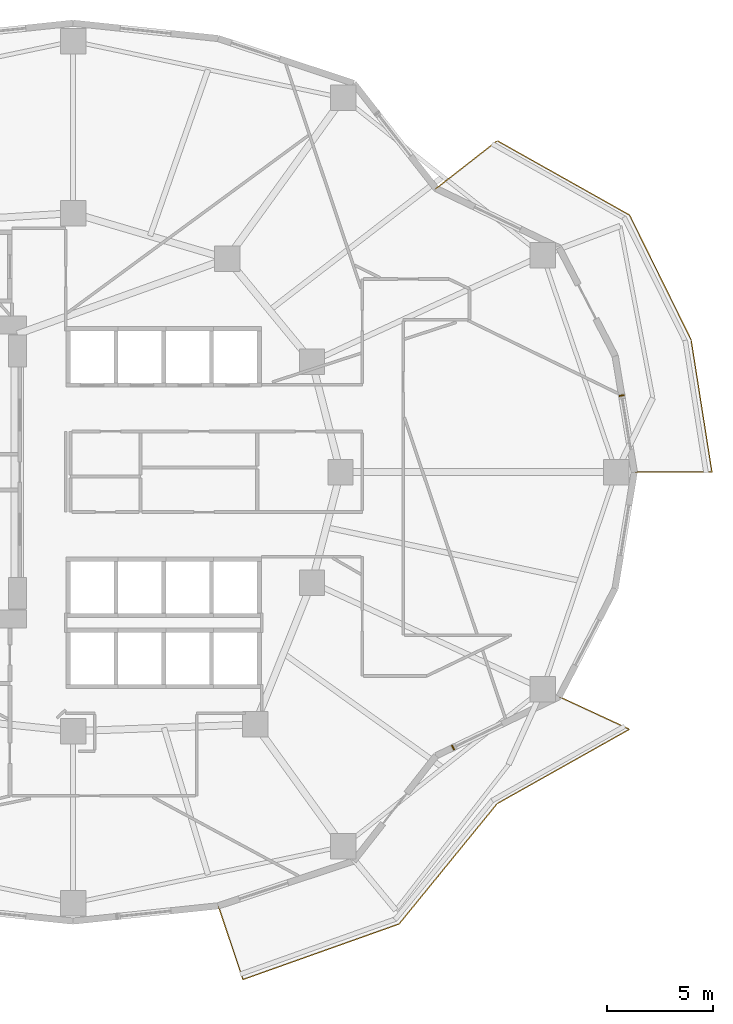
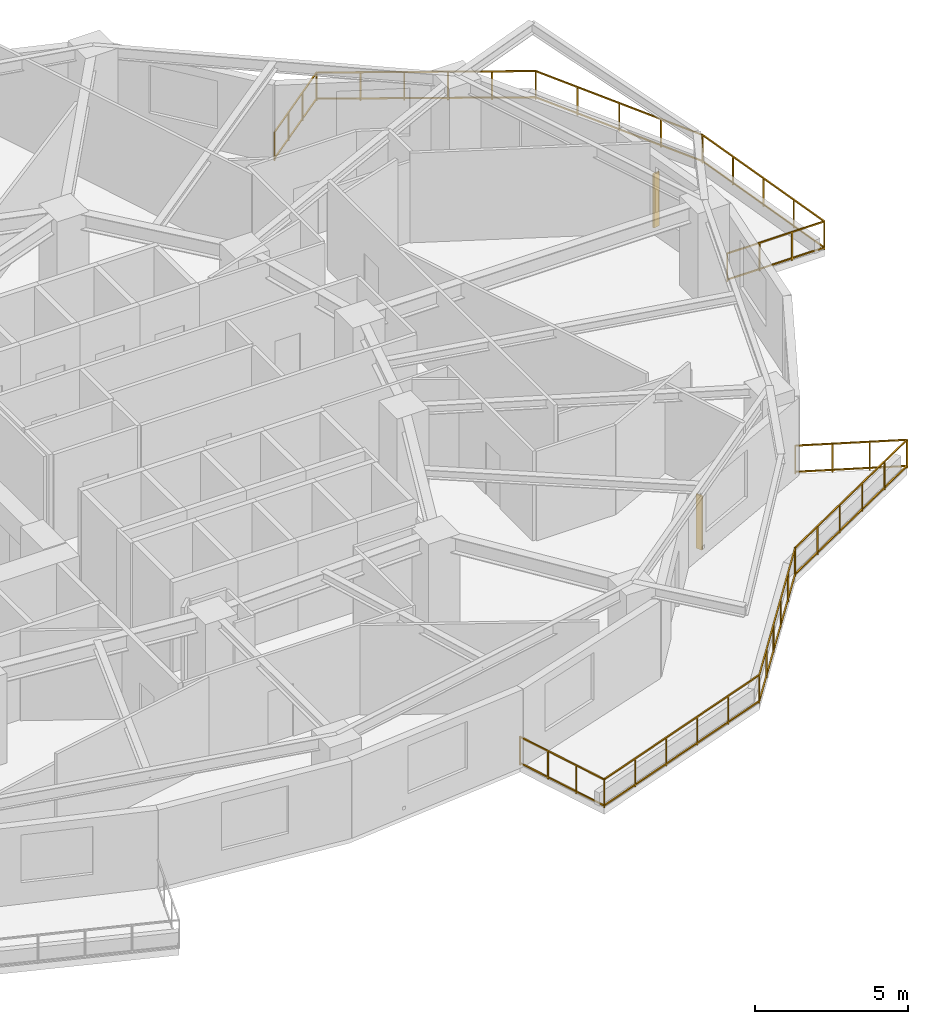
# One storey, part 10 of 11: 2 railings, 2 shading devices.
"""IFC4 building model written with IfcOpenShell, lengths in metres."""

from ifc_helpers import new_model, si_unit, direction, frame, origin, origin_2d, place, context, subcontext, project, spatial, rectangle, extrude, material, type_object, element, save


model = new_model("IFC4")

# Units and contexts
model_context = context("Model", 3, precision=1e-05, world=origin(), true_north=direction((0.0, 1.0)))
body_context = subcontext(model_context, "Body", "Model", "MODEL_VIEW")
ifc_project = project(units=[si_unit("LENGTHUNIT", "METRE"), si_unit("AREAUNIT", "SQUARE_METRE"), si_unit("VOLUMEUNIT", "CUBIC_METRE"), si_unit("PLANEANGLEUNIT", "RADIAN"), si_unit("MASSUNIT", "GRAM", prefix="KILO")], contexts=[model_context])

# Site, building, storey
site_placement = place(None, origin())
site = spatial("IfcSite", under=ifc_project, at=site_placement, CompositionType="ELEMENT")
building_placement = place(site_placement, origin())
building = spatial("IfcBuilding", under=site, at=building_placement, Name="Kolvaren Gate Tower and Convention Centre", CompositionType="ELEMENT")
storey_placement = place(building_placement, frame((0.0, 0.0, 88.10009765625)))
storey = spatial("IfcBuildingStorey", under=building, at=storey_placement, Name="L21", CompositionType="ELEMENT", Elevation=88.10009765625)

# Railings
ifc_material_1 = material(Name="Brushed Stainless Steel Grade 316L", Category="steel")
railing_type = type_object("IfcRailingType", Name="ARCH-RL-GUARD-1150", PredefinedType="GUARDRAIL", material=ifc_material_1)
railing_1_placement = place(storey_placement, frame((56.5625, 27.0, 0.0)))
element("IfcRailing", 1, at=railing_1_placement, inside=storey, type_object=railing_type, Name="Tower L21 Terrace Perimeter Guardrail GR-1", PredefinedType="GUARDRAIL", context=body_context, shape_type="SweptSolid", body=[
    extrude(rectangle(XDim=0.048095703125, YDim=0.048095703125, at=origin_2d()), frame((0.028076171875, 0.0, 1.1259765625), z_axis=(1.0, 0.0, 0.0), x_axis=(0.0, 1.0, 0.0)), (0.0, 0.0, 1.0), 3.603759765625),
    extrude(rectangle(XDim=0.048095703125, YDim=0.048095703125, at=origin_2d()), frame((0.028076171875, 0.0, 0.083984375), z_axis=(1.0, 0.0, 0.0), x_axis=(0.0, 1.0, 0.0)), (0.0, 0.0, 1.0), 3.603759765625),
    extrude(rectangle(XDim=0.048095703125, YDim=0.048095703125, at=origin_2d()), frame((3.655517578125, 0.027587890625, 1.1259765625), z_axis=(-0.155418843943, 0.98784866399, 0.0), x_axis=(-0.98784866399, -0.155418843943, 0.0)), (0.0, 0.0, 1.0), 6.261962890625),
    extrude(rectangle(XDim=0.048095703125, YDim=0.048095703125, at=origin_2d()), frame((3.655517578125, 0.027587890625, 0.083984375), z_axis=(-0.155418843943, 0.98784866399, 0.0), x_axis=(-0.98784866399, -0.155418843943, 0.0)), (0.0, 0.0, 1.0), 6.261962890625),
    extrude(rectangle(XDim=0.048095703125, YDim=0.048095703125, at=origin_2d()), frame((2.66552734375, 6.266357421875, 1.1259765625), z_axis=(-0.442686636348, 0.89667638644, 0.0), x_axis=(-0.89667638644, -0.442686636348, 0.0)), (0.0, 0.0, 1.0), 6.488525390625),
    extrude(rectangle(XDim=0.048095703125, YDim=0.048095703125, at=origin_2d()), frame((2.66552734375, 6.266357421875, 0.083984375), z_axis=(-0.442686636348, 0.89667638644, 0.0), x_axis=(-0.89667638644, -0.442686636348, 0.0)), (0.0, 0.0, 1.0), 6.488525390625),
    extrude(rectangle(XDim=0.048095703125, YDim=0.048095703125, at=origin_2d()), frame((-0.24365234375, 12.123291015625, 1.1259765625), z_axis=(-0.871783301661, 0.489891697159, 0.0), x_axis=(-0.489891697159, -0.871783301661, 0.0)), (0.0, 0.0, 1.0), 7.096435546875),
    extrude(rectangle(XDim=0.048095703125, YDim=0.048095703125, at=origin_2d()), frame((-0.24365234375, 12.123291015625, 0.083984375), z_axis=(-0.871783301661, 0.489891697159, 0.0), x_axis=(-0.489891697159, -0.871783301661, 0.0)), (0.0, 0.0, 1.0), 7.096435546875),
    extrude(rectangle(XDim=0.048095703125, YDim=0.048095703125, at=origin_2d()), frame((-6.476806640625, 15.59619140625, 1.1259765625), z_axis=(-0.787988976981, -0.61568934712, 0.0), x_axis=(0.61568934712, -0.787988976981, 0.0)), (0.0, 0.0, 1.0), 3.60400390625),
    extrude(rectangle(XDim=0.048095703125, YDim=0.048095703125, at=origin_2d()), frame((-6.476806640625, 15.59619140625, 0.083984375), z_axis=(-0.787988976981, -0.61568934712, 0.0), x_axis=(0.61568934712, -0.787988976981, 0.0)), (0.0, 0.0, 1.0), 3.60400390625),
    extrude(rectangle(XDim=0.0419921875, YDim=0.0419921875, at=origin_2d()), origin(), (0.0, 0.0, 1.0), 1.14990234375),
    extrude(rectangle(XDim=0.0419921875, YDim=0.0419921875, at=origin_2d()), frame((3.659912109375, 0.0, 0.0)), (0.0, 0.0, 1.0), 1.14990234375),
    extrude(rectangle(XDim=0.0419921875, YDim=0.0419921875, at=origin_2d()), frame((1.219970703125, 0.0, 0.0)), (0.0, 0.0, 1.0), 1.099853515625),
    extrude(rectangle(XDim=0.0419921875, YDim=0.0419921875, at=origin_2d()), frame((2.43994140625, 0.0, 0.0)), (0.0, 0.0, 1.0), 1.099853515625),
    extrude(rectangle(XDim=0.0419921875, YDim=0.0419921875, at=origin_2d()), frame((2.677978515625, 6.2412109375, 0.0)), (0.0, 0.0, 1.0), 1.14990234375),
    extrude(rectangle(XDim=0.0419921875, YDim=0.0419921875, at=origin_2d()), frame((3.41455078125, 1.560302734375, 0.0)), (0.0, 0.0, 1.0), 1.099853515625),
    extrude(rectangle(XDim=0.0419921875, YDim=0.0419921875, at=origin_2d()), frame((3.1689453125, 3.12060546875, 0.0)), (0.0, 0.0, 1.0), 1.099853515625),
    extrude(rectangle(XDim=0.0419921875, YDim=0.0419921875, at=origin_2d()), frame((2.92333984375, 4.680908203125, 0.0)), (0.0, 0.0, 1.0), 1.099853515625),
    extrude(rectangle(XDim=0.0419921875, YDim=0.0419921875, at=origin_2d()), frame((-0.21923828125, 12.109619140625, 0.0)), (0.0, 0.0, 1.0), 1.14990234375),
    extrude(rectangle(XDim=0.0419921875, YDim=0.0419921875, at=origin_2d()), frame((1.95361328125, 7.708251953125, 0.0)), (0.0, 0.0, 1.0), 1.099853515625),
    extrude(rectangle(XDim=0.0419921875, YDim=0.0419921875, at=origin_2d()), frame((1.2294921875, 9.17529296875, 0.0)), (0.0, 0.0, 1.0), 1.099853515625),
    extrude(rectangle(XDim=0.0419921875, YDim=0.0419921875, at=origin_2d()), frame((0.505126953125, 10.642578125, 0.0)), (0.0, 0.0, 1.0), 1.099853515625),
    extrude(rectangle(XDim=0.0419921875, YDim=0.0419921875, at=origin_2d()), frame((-6.45458984375, 15.613525390625, 0.0)), (0.0, 0.0, 1.0), 1.14990234375),
    extrude(rectangle(XDim=0.0419921875, YDim=0.0419921875, at=origin_2d()), frame((-1.46630859375, 12.810302734375, 0.0)), (0.0, 0.0, 1.0), 1.099853515625),
    extrude(rectangle(XDim=0.0419921875, YDim=0.0419921875, at=origin_2d()), frame((-2.71337890625, 13.51123046875, 0.0)), (0.0, 0.0, 1.0), 1.099853515625),
    extrude(rectangle(XDim=0.0419921875, YDim=0.0419921875, at=origin_2d()), frame((-3.96044921875, 14.2119140625, 0.0)), (0.0, 0.0, 1.0), 1.099853515625),
    extrude(rectangle(XDim=0.0419921875, YDim=0.0419921875, at=origin_2d()), frame((-5.20751953125, 14.912841796875, 0.0)), (0.0, 0.0, 1.0), 1.099853515625),
    extrude(rectangle(XDim=0.0419921875, YDim=0.0419921875, at=origin_2d()), frame((-9.338623046875, 13.360107421875, 0.0)), (0.0, 0.0, 1.0), 1.14990234375),
    extrude(rectangle(XDim=0.0419921875, YDim=0.0419921875, at=origin_2d()), frame((-7.416015625, 14.8623046875, 0.0)), (0.0, 0.0, 1.0), 1.099853515625),
    extrude(rectangle(XDim=0.0419921875, YDim=0.0419921875, at=origin_2d()), frame((-8.377197265625, 14.111328125, 0.0)), (0.0, 0.0, 1.0), 1.099853515625),
])
railing_2_placement = place(storey_placement, frame((36.967529296875, 6.57080078125, 0.0)))
element("IfcRailing", 2, at=railing_2_placement, inside=storey, type_object=railing_type, Name="Tower L21 Terrace Perimeter Guardrail GR-4", PredefinedType="GUARDRAIL", context=body_context, shape_type="SweptSolid", body=[
    extrude(rectangle(XDim=0.048095703125, YDim=0.048095703125, at=origin_2d()), frame((0.0087890625, -0.026611328125, 1.1259765625), z_axis=(0.317568160167, -0.94823544737, 0.0), x_axis=(0.94823544737, 0.317568160167, 0.0)), (0.0, 0.0, 1.0), 3.60400390625),
    extrude(rectangle(XDim=0.048095703125, YDim=0.048095703125, at=origin_2d()), frame((0.0087890625, -0.026611328125, 0.083984375), z_axis=(0.317568160167, -0.94823544737, 0.0), x_axis=(0.94823544737, 0.317568160167, 0.0)), (0.0, 0.0, 1.0), 3.60400390625),
    extrude(rectangle(XDim=0.048095703125, YDim=0.048095703125, at=origin_2d()), frame((1.188720703125, -3.46142578125, 1.1259765625), z_axis=(0.942200211781, 0.335050385643, 0.0), x_axis=(-0.335050385643, 0.942200211781, 0.0)), (0.0, 0.0, 1.0), 7.7509765625),
    extrude(rectangle(XDim=0.048095703125, YDim=0.048095703125, at=origin_2d()), frame((1.188720703125, -3.46142578125, 0.083984375), z_axis=(0.942200211781, 0.335050385643, 0.0), x_axis=(-0.335050385643, 0.942200211781, 0.0)), (0.0, 0.0, 1.0), 7.7509765625),
    extrude(rectangle(XDim=0.048095703125, YDim=0.048095703125, at=origin_2d()), frame((8.535888671875, -0.833251953125, 1.1259765625), z_axis=(0.631819273026, 0.775115737315, 0.0), x_axis=(-0.775115737315, 0.631819273026, 0.0)), (0.0, 0.0, 1.0), 7.259765625),
    extrude(rectangle(XDim=0.048095703125, YDim=0.048095703125, at=origin_2d()), frame((8.535888671875, -0.833251953125, 0.083984375), z_axis=(0.631819273026, 0.775115737315, 0.0), x_axis=(-0.775115737315, 0.631819273026, 0.0)), (0.0, 0.0, 1.0), 7.259765625),
    extrude(rectangle(XDim=0.048095703125, YDim=0.048095703125, at=origin_2d()), frame((13.164794921875, 4.829345703125, 1.1259765625), z_axis=(0.871783301661, 0.489891697159, 0.0), x_axis=(-0.489891697159, 0.871783301661, 0.0)), (0.0, 0.0, 1.0), 7.096435546875),
    extrude(rectangle(XDim=0.048095703125, YDim=0.048095703125, at=origin_2d()), frame((13.164794921875, 4.829345703125, 0.083984375), z_axis=(0.871783301661, 0.489891697159, 0.0), x_axis=(-0.489891697159, 0.871783301661, 0.0)), (0.0, 0.0, 1.0), 7.096435546875),
    extrude(rectangle(XDim=0.048095703125, YDim=0.048095703125, at=origin_2d()), frame((19.350341796875, 8.331298828125, 1.1259765625), z_axis=(-0.907846116663, 0.419303503993, 0.0), x_axis=(-0.419303503993, -0.907846116663, 0.0)), (0.0, 0.0, 1.0), 3.60400390625),
    extrude(rectangle(XDim=0.048095703125, YDim=0.048095703125, at=origin_2d()), frame((19.350341796875, 8.331298828125, 0.083984375), z_axis=(-0.907846116663, 0.419303503993, 0.0), x_axis=(-0.419303503993, -0.907846116663, 0.0)), (0.0, 0.0, 1.0), 3.60400390625),
    extrude(rectangle(XDim=0.0419921875, YDim=0.0419921875, at=origin_2d()), origin(), (0.0, 0.0, 1.0), 1.14990234375),
    extrude(rectangle(XDim=0.0419921875, YDim=0.0419921875, at=origin_2d()), frame((1.162353515625, -3.470703125, 0.0)), (0.0, 0.0, 1.0), 1.14990234375),
    extrude(rectangle(XDim=0.0419921875, YDim=0.0419921875, at=origin_2d()), frame((0.387451171875, -1.156982421875, 0.0)), (0.0, 0.0, 1.0), 1.099853515625),
    extrude(rectangle(XDim=0.0419921875, YDim=0.0419921875, at=origin_2d()), frame((0.77490234375, -2.313720703125, 0.0)), (0.0, 0.0, 1.0), 1.099853515625),
    extrude(rectangle(XDim=0.0419921875, YDim=0.0419921875, at=origin_2d()), frame((8.51806640625, -0.85498046875, 0.0)), (0.0, 0.0, 1.0), 1.14990234375),
    extrude(rectangle(XDim=0.0419921875, YDim=0.0419921875, at=origin_2d()), frame((2.633544921875, -2.947509765625, 0.0)), (0.0, 0.0, 1.0), 1.099853515625),
    extrude(rectangle(XDim=0.0419921875, YDim=0.0419921875, at=origin_2d()), frame((4.104736328125, -2.42431640625, 0.0)), (0.0, 0.0, 1.0), 1.099853515625),
    extrude(rectangle(XDim=0.0419921875, YDim=0.0419921875, at=origin_2d()), frame((5.57568359375, -1.9013671875, 0.0)), (0.0, 0.0, 1.0), 1.099853515625),
    extrude(rectangle(XDim=0.0419921875, YDim=0.0419921875, at=origin_2d()), frame((7.046875, -1.378173828125, 0.0)), (0.0, 0.0, 1.0), 1.099853515625),
    extrude(rectangle(XDim=0.0419921875, YDim=0.0419921875, at=origin_2d()), frame((13.140380859375, 4.815673828125, 0.0)), (0.0, 0.0, 1.0), 1.14990234375),
    extrude(rectangle(XDim=0.0419921875, YDim=0.0419921875, at=origin_2d()), frame((9.442626953125, 0.279052734375, 0.0)), (0.0, 0.0, 1.0), 1.099853515625),
    extrude(rectangle(XDim=0.0419921875, YDim=0.0419921875, at=origin_2d()), frame((10.366943359375, 1.413330078125, 0.0)), (0.0, 0.0, 1.0), 1.099853515625),
    extrude(rectangle(XDim=0.0419921875, YDim=0.0419921875, at=origin_2d()), frame((11.29150390625, 2.54736328125, 0.0)), (0.0, 0.0, 1.0), 1.099853515625),
    extrude(rectangle(XDim=0.0419921875, YDim=0.0419921875, at=origin_2d()), frame((12.2158203125, 3.681640625, 0.0)), (0.0, 0.0, 1.0), 1.099853515625),
    extrude(rectangle(XDim=0.0419921875, YDim=0.0419921875, at=origin_2d()), frame((19.375732421875, 8.319580078125, 0.0)), (0.0, 0.0, 1.0), 1.14990234375),
    extrude(rectangle(XDim=0.0419921875, YDim=0.0419921875, at=origin_2d()), frame((14.387451171875, 5.516357421875, 0.0)), (0.0, 0.0, 1.0), 1.099853515625),
    extrude(rectangle(XDim=0.0419921875, YDim=0.0419921875, at=origin_2d()), frame((15.634521484375, 6.21728515625, 0.0)), (0.0, 0.0, 1.0), 1.099853515625),
    extrude(rectangle(XDim=0.0419921875, YDim=0.0419921875, at=origin_2d()), frame((16.881591796875, 6.91796875, 0.0)), (0.0, 0.0, 1.0), 1.099853515625),
    extrude(rectangle(XDim=0.0419921875, YDim=0.0419921875, at=origin_2d()), frame((18.128662109375, 7.618896484375, 0.0)), (0.0, 0.0, 1.0), 1.099853515625),
    extrude(rectangle(XDim=0.0419921875, YDim=0.0419921875, at=origin_2d()), frame((16.052978515625, 9.854248046875, 0.0)), (0.0, 0.0, 1.0), 1.14990234375),
    extrude(rectangle(XDim=0.0419921875, YDim=0.0419921875, at=origin_2d()), frame((18.26806640625, 8.8310546875, 0.0)), (0.0, 0.0, 1.0), 1.099853515625),
    extrude(rectangle(XDim=0.0419921875, YDim=0.0419921875, at=origin_2d()), frame((17.16064453125, 9.3427734375, 0.0)), (0.0, 0.0, 1.0), 1.099853515625),
])

# Shading devices
ifc_material_2 = material(Name="Kiln-Fired Bogota Terracotta Ceramic Louvre Profile", Category="masonry")
shading_device_type = type_object("IfcShadingDeviceType", Name="ARCH-SHD-FIN-180", PredefinedType="JALOUSIE", material=ifc_material_2)
for number, where, z_axis, x_axis, name in (
    (3, (55.968505859375, 30.609130859375, 0.219970703125), (0.0, 0.0, 1.0), (0.162375401515, -0.986729055508, 0.0), "Ceramic Vertical Brise-Soleil Fin FN-L21-00"),
    (4, (48.026123046875, 14.025390625, 0.219970703125), (0.0, 0.0, 1.0), (0.901357634097, 0.433075530889, 0.0), "Ceramic Vertical Brise-Soleil Fin FN-L21-21"),
):
    element("IfcShadingDevice", number, at=place(storey_placement, frame(where, z_axis=z_axis, x_axis=x_axis)), inside=storey, type_object=shading_device_type, Name=name, PredefinedType="JALOUSIE", context=body_context, shape_type="SweptSolid", body=[
        extrude(rectangle(XDim=0.06005859375, YDim=0.239990234375, at=origin_2d()), origin(), (0.0, 0.0, 1.0), 2.14990234375),
    ])

save(model, "model.ifc")
